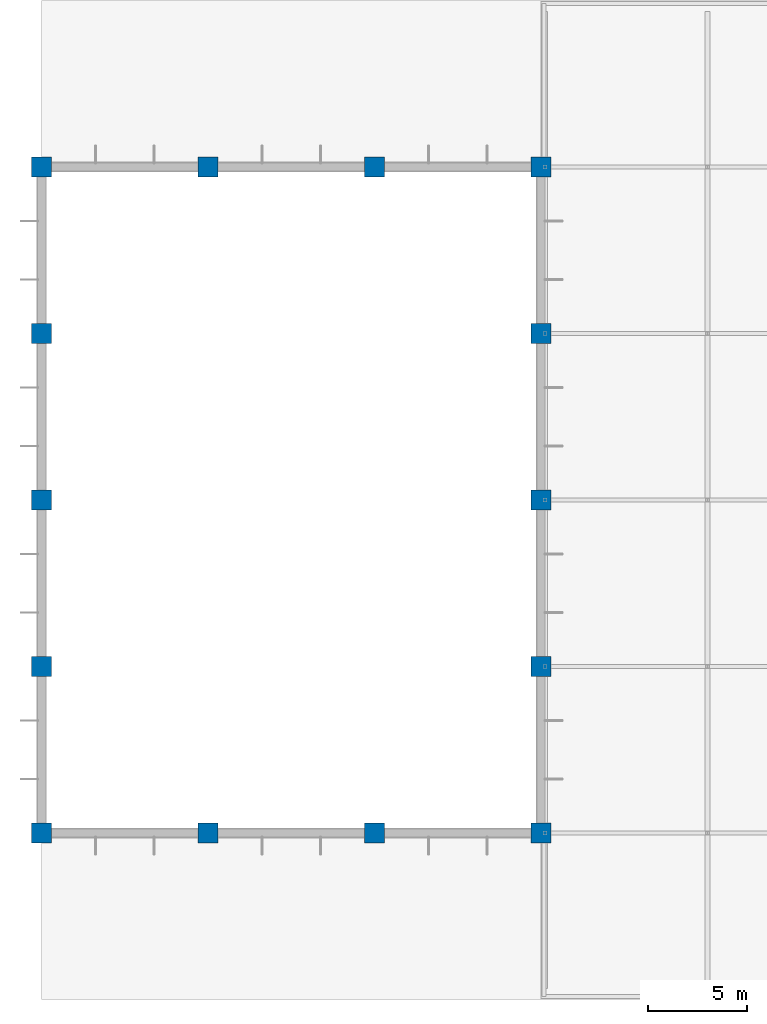
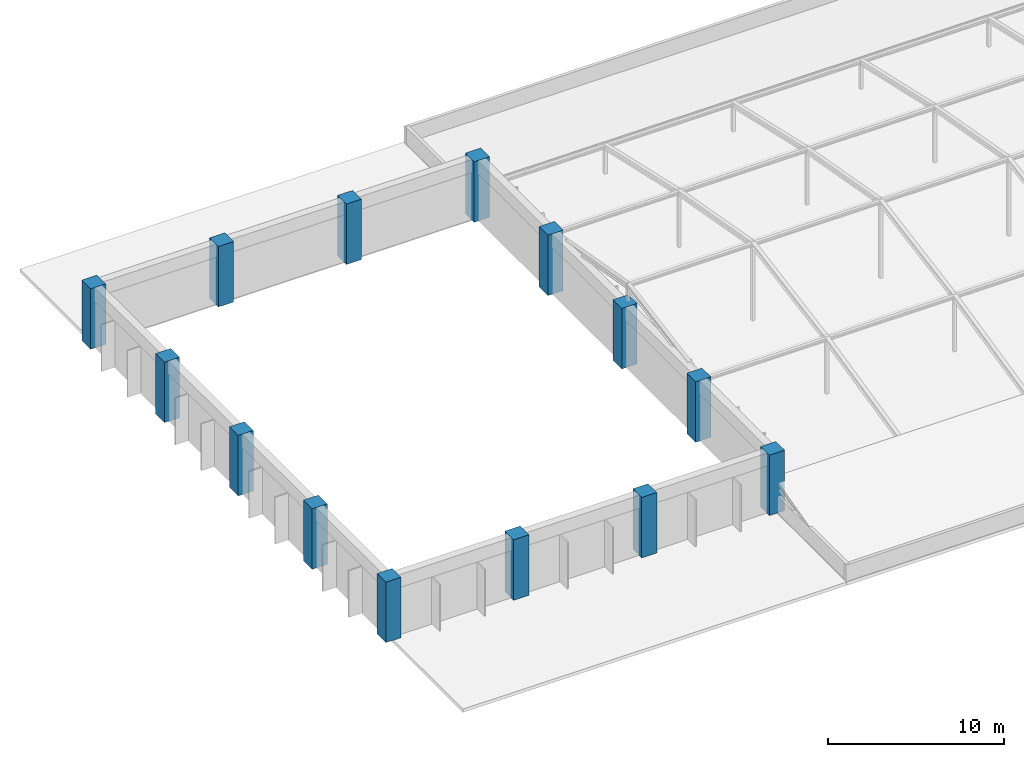
# One storey, part 1 of 34: 14 columns.
"""IFC4 building model written with IfcOpenShell, lengths in metres."""

from ifc_helpers import new_model, si_unit, direction, frame, origin, origin_2d, place, context, subcontext, project, spatial, rectangle, extrude, material, material_profile, profile_set, type_object, element, save


model = new_model("IFC4")

# Units and contexts
model_context = context("Model", 3, precision=1e-05, world=origin(), true_north=direction((0.0, 1.0)))
body_context = subcontext(model_context, "Body", "Model", "MODEL_VIEW")
ifc_project = project(units=[si_unit("LENGTHUNIT", "METRE"), si_unit("AREAUNIT", "SQUARE_METRE"), si_unit("VOLUMEUNIT", "CUBIC_METRE"), si_unit("PLANEANGLEUNIT", "RADIAN"), si_unit("MASSUNIT", "GRAM", prefix="KILO")], contexts=[model_context])

# Site, building, storey
site_placement = place(None, origin())
site = spatial("IfcSite", under=ifc_project, at=site_placement, CompositionType="ELEMENT")
building_placement = place(site_placement, origin())
building = spatial("IfcBuilding", under=site, at=building_placement, Name="Xuanlan Plaza Opera House", CompositionType="ELEMENT")
storey_placement = place(building_placement, frame((0.0, 0.0, 27.89990234375)))
storey = spatial("IfcBuildingStorey", under=building, at=storey_placement, Name="L06", CompositionType="ELEMENT", Elevation=27.89990234375)

# Columns
ifc_material = material(Name="Concrete C50", Category="concrete")
ifc_material_profile = material_profile(ifc_material, rectangle(XDim=1.0, YDim=1.0, at=origin_2d()), Name="RC-COL 1000x1000")
ifc_profile_set = profile_set([ifc_material_profile], Name="Concrete C50")
column_type = type_object("IfcColumnType", Name="STR-COL-C-04", PredefinedType="COLUMN", material=ifc_profile_set)
for number, where, z_axis, x_axis, name in (
    (1, (42.0, 42.0, 0.0), (0.0, 0.0, 1.0), (1.0, 0.0, 0.0), "Fly Tower Column L06 6-F"),
    (2, (42.0, 50.39990234375, 0.0), (0.0, 0.0, 1.0), (1.0, 0.0, 0.0), "Fly Tower Column L06 6-G"),
    (3, (42.0, 58.800048828125, 0.0), (0.0, 0.0, 1.0), (1.0, 0.0, 0.0), "Fly Tower Column L06 6-H"),
    (4, (42.0, 67.199951171875, 0.0), (0.0, 0.0, 1.0), (1.0, 0.0, 0.0), "Fly Tower Column L06 6-I"),
    (5, (42.0, 75.60009765625, 0.0), (0.0, 0.0, 1.0), (1.0, 0.0, 0.0), "Fly Tower Column L06 6-J"),
    (6, (50.39990234375, 42.0, 0.0), (0.0, 0.0, 1.0), (1.0, 0.0, 0.0), "Fly Tower Column L06 7-F"),
    (7, (50.39990234375, 75.60009765625, 0.0), (0.0, 0.0, 1.0), (1.0, 0.0, 0.0), "Fly Tower Column L06 7-J"),
    (8, (58.800048828125, 42.0, 0.0), (0.0, 0.0, 1.0), (1.0, 0.0, 0.0), "Fly Tower Column L06 8-F"),
    (9, (58.800048828125, 75.60009765625, 0.0), (0.0, 0.0, 1.0), (1.0, 0.0, 0.0), "Fly Tower Column L06 8-J"),
    (10, (67.199951171875, 42.0, 0.0), (0.0, 0.0, 1.0), (1.0, 0.0, 0.0), "Fly Tower Column L06 9-F"),
    (11, (67.199951171875, 50.39990234375, 0.0), (0.0, 0.0, 1.0), (1.0, 0.0, 0.0), "Fly Tower Column L06 9-G"),
    (12, (67.199951171875, 58.800048828125, 0.0), (0.0, 0.0, 1.0), (1.0, 0.0, 0.0), "Fly Tower Column L06 9-H"),
    (13, (67.199951171875, 67.199951171875, 0.0), (0.0, 0.0, 1.0), (1.0, 0.0, 0.0), "Fly Tower Column L06 9-I"),
    (14, (67.199951171875, 75.60009765625, 0.0), (0.0, 0.0, 1.0), (1.0, 0.0, 0.0), "Fly Tower Column L06 9-J"),
):
    element("IfcColumn", number, at=place(storey_placement, frame(where, z_axis=z_axis, x_axis=x_axis)), inside=storey, type_object=column_type, Name=name, PredefinedType="COLUMN", context=body_context, shape_type="SweptSolid", body=[
        extrude(rectangle(XDim=1.0, YDim=1.0, at=origin_2d()), origin(), (0.0, 0.0, 1.0), 4.2001953125),
    ])

save(model, "model.ifc")
